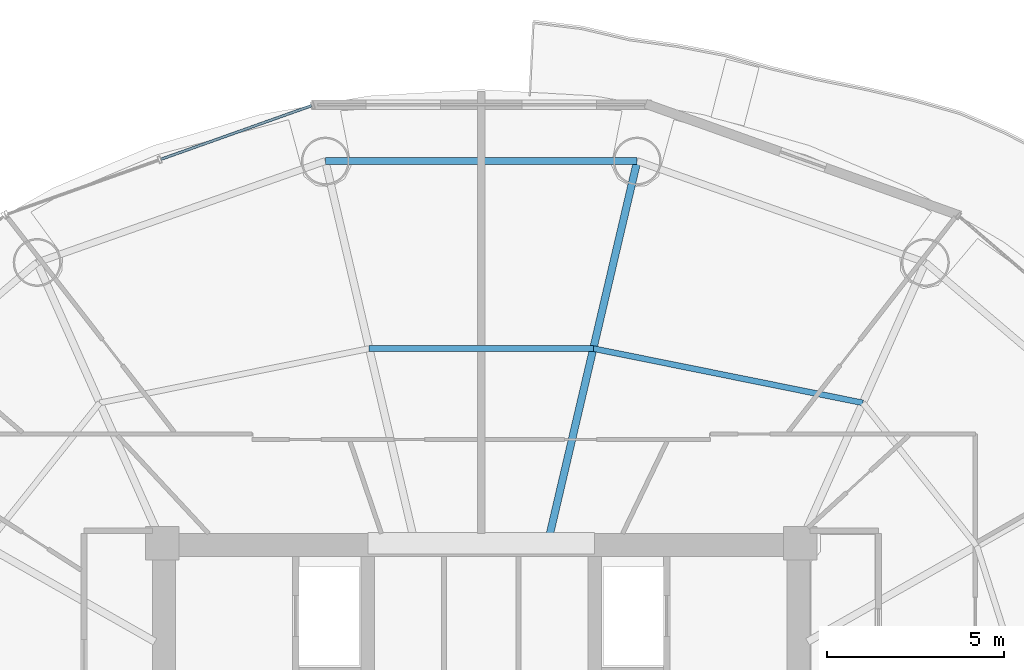
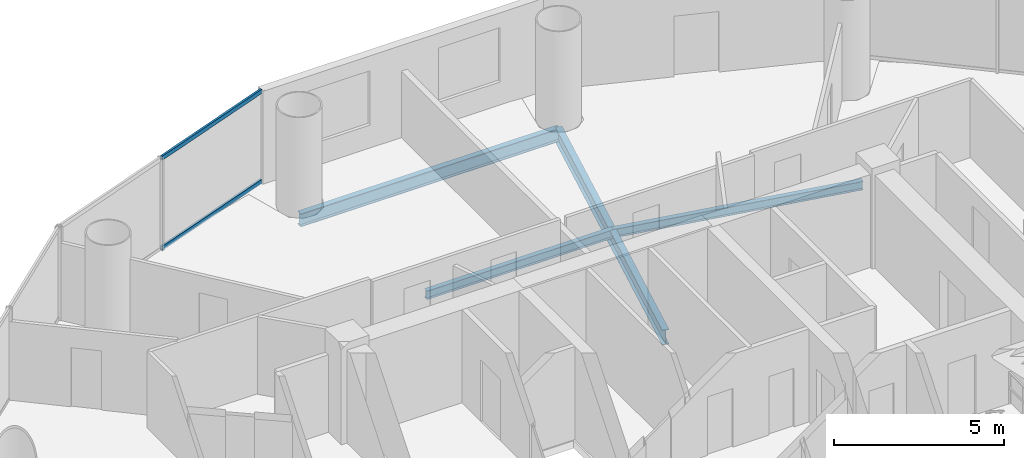
# One storey, part 16 of 27: 4 beams, 2 members, 1 element without a shape of its own.
"""IFC4 building model written with IfcOpenShell, lengths in metres."""

from ifc_helpers import new_model, si_unit, direction, frame, origin, origin_2d, place, context, subcontext, project, spatial, hollow_rectangle, i_section, extrude, source, transform, mapped, material, material_profile, profile_set, type_object, element, aggregate, save


model = new_model("IFC4")

# Units and contexts
model_context = context("Model", 3, precision=1e-05, world=origin(), true_north=direction((-0.2419218956, 0.970295726276)))
body_context = subcontext(model_context, "Body", "Model", "MODEL_VIEW")
ifc_project = project(units=[si_unit("LENGTHUNIT", "METRE"), si_unit("AREAUNIT", "SQUARE_METRE"), si_unit("VOLUMEUNIT", "CUBIC_METRE"), si_unit("PLANEANGLEUNIT", "RADIAN"), si_unit("MASSUNIT", "GRAM", prefix="KILO")], contexts=[model_context])

# Site, building, storey
site_placement = place(None, origin())
site = spatial("IfcSite", under=ifc_project, at=site_placement, CompositionType="ELEMENT")
building_placement = place(site_placement, origin())
building = spatial("IfcBuilding", under=site, at=building_placement, Name="Cobrevalo Terracotta Tower", CompositionType="ELEMENT")
storey_placement = place(building_placement, frame((0.0, 0.0, 153.39990234375)))
storey = spatial("IfcBuildingStorey", under=building, at=storey_placement, Name="L40", CompositionType="ELEMENT", Elevation=153.39990234375)

# Beams
ifc_material_1 = material(Name="Steel S355", Category="steel")
ifc_material_profile_1 = material_profile(ifc_material_1, i_section(OverallWidth=0.2109375, OverallDepth=0.5390625, WebThickness=0.01171875, FlangeThickness=0.018798828125, at=origin_2d()), Name="W 530x109")
ifc_profile_set_1 = profile_set([ifc_material_profile_1], Name="Steel S355")
beam_type_1 = type_object("IfcBeamType", Name="Structural Beam W 530x109 (Steel S355)", PredefinedType="BEAM", material=ifc_profile_set_1)
beam_1_placement = place(storey_placement, frame((42.399169921875, 45.58203125, -0.539306640625), z_axis=(-0.228040864186, -0.973651562039, 0.0), x_axis=(0.973651562039, -0.228040864186, 0.0)))
element("IfcBeam", 1, at=beam_1_placement, inside=storey, type_object=beam_type_1, Name="L40 radial floor girder 04", PredefinedType="BEAM", context=body_context, shape_type="SweptSolid", body=[
    extrude(i_section(OverallWidth=0.2109375, OverallDepth=0.5390625, WebThickness=0.01171875, FlangeThickness=0.018798828125, at=origin_2d()), origin(), (0.0, 0.0, 1.0), 10.86328125),
])
ifc_material_profile_2 = material_profile(ifc_material_1, i_section(OverallWidth=0.1650390625, OverallDepth=0.31005859375, WebThickness=0.005859375, FlangeThickness=0.009765625, at=origin_2d()), Name="W 310x38.7")
ifc_profile_set_2 = profile_set([ifc_material_profile_2], Name="Steel S355")
beam_type_2 = type_object("IfcBeamType", Name="Structural Joist W 310x38.7 (Steel S355)", PredefinedType="JOIST", material=ifc_profile_set_2)
beam_2_placement = place(storey_placement, frame((48.76416015625, 38.76123046875, -0.4248046875), z_axis=(-0.980293928329, 0.197544461026, 0.0), x_axis=(-0.197544461026, -0.980293928329, 0.0)))
element("IfcBeam", 2, at=beam_2_placement, inside=storey, type_object=beam_type_2, Name="L40 circumferential secondary floor joist 03", PredefinedType="JOIST", context=body_context, shape_type="SweptSolid", body=[
    extrude(i_section(OverallWidth=0.1650390625, OverallDepth=0.31005859375, WebThickness=0.005859375, FlangeThickness=0.009765625, at=origin_2d()), origin(), (0.0, 0.0, 1.0), 7.75634765625),
])
beam_3_placement = place(storey_placement, frame((41.16064453125, 40.29345703125, -0.4248046875), z_axis=(-1.0, 0.0, 0.0), x_axis=(0.0, -1.0, 0.0)))
element("IfcBeam", 3, at=beam_3_placement, inside=storey, type_object=beam_type_2, Name="L40 circumferential secondary floor joist 04", PredefinedType="JOIST", context=body_context, shape_type="SweptSolid", body=[
    extrude(i_section(OverallWidth=0.1650390625, OverallDepth=0.31005859375, WebThickness=0.005859375, FlangeThickness=0.009765625, at=origin_2d()), origin(), (0.0, 0.0, 1.0), 6.3212890625),
])
ifc_material_profile_3 = material_profile(ifc_material_1, i_section(OverallWidth=0.194091796875, OverallDepth=0.468994140625, WebThickness=0.011474609375, FlangeThickness=0.0205078125, at=origin_2d()), Name="W 460x106")
ifc_profile_set_3 = profile_set([ifc_material_profile_3], Name="Steel S355")
beam_type_3 = type_object("IfcBeamType", Name="Structural Spandrel W 460x106 (Steel S355)", PredefinedType="SPANDREL", material=ifc_profile_set_3)
beam_4_placement = place(storey_placement, frame((42.399169921875, 45.58203125, -0.50439453125), z_axis=(-1.0, 0.0, 0.0), x_axis=(0.0, -1.0, 0.0)))
element("IfcBeam", 4, at=beam_4_placement, inside=storey, type_object=beam_type_3, Name="L40 perimeter ring spandrel 04", PredefinedType="SPANDREL", context=body_context, shape_type="SweptSolid", body=[
    extrude(i_section(OverallWidth=0.194091796875, OverallDepth=0.468994140625, WebThickness=0.011474609375, FlangeThickness=0.0205078125, at=origin_2d()), origin(), (0.0, 0.0, 1.0), 8.79833984375),
])

# Curtain wall, members
ifc_material_2 = material(Name="Anodized aluminium", Category="aluminium")
curtain_wall_type = type_object("IfcCurtainWallType", Name="Mid-tower high-wind unitised curtain wall CW-U2", PredefinedType="NOTDEFINED", material=ifc_material_2)
curtain_wall_placement = place(storey_placement, origin())
curtain_wall = element("IfcCurtainWall", 5, at=curtain_wall_placement, inside=storey, type_object=curtain_wall_type, Name="L40 curtain wall CW-L40-S05", PredefinedType="NOTDEFINED")
ifc_material_profile_4 = material_profile(ifc_material_2, hollow_rectangle(XDim=0.074951171875, YDim=0.14990234375, WallThickness=0.00439453125, at=origin_2d()), Name="CWT 75x150")
ifc_profile_set_4 = profile_set([ifc_material_profile_4], Name="Anodized aluminium")
member_type = type_object("IfcMemberType", Name="Tower unitised aluminium transom 75x150", PredefinedType="USERDEFINED", material=ifc_profile_set_4)
shared_shape = source(origin(), body_context, "Body", "SweptSolid", [
    extrude(hollow_rectangle(XDim=0.074951171875, YDim=0.14990234375, WallThickness=0.00439453125, at=origin_2d()), origin(), (0.0, 0.0, 1.0), 4.50390625),
])
member_1_placement = place(storey_placement, frame((33.209228515625, 47.14404296875, 0.050048828125), z_axis=(-0.94210437316, -0.335319772863, 0.0), x_axis=(0.335319772863, -0.94210437316, 0.0)))
member_1 = element("IfcMember", 6, at=member_1_placement, type_object=member_type, Name="CW-L40-S05 transom B01-T1", ObjectType="TRANSOM", PredefinedType="USERDEFINED", context=body_context, shape_type="MappedRepresentation", body=[
    mapped(shared_shape, transform((0.0, 0.0, 0.0), scale=1.0)),
])
member_2_placement = place(storey_placement, frame((33.209228515625, 47.14404296875, 3.280029296875), z_axis=(-0.94210437316, -0.335319772863, 0.0), x_axis=(0.335319772863, -0.94210437316, 0.0)))
member_2 = element("IfcMember", 7, at=member_2_placement, type_object=member_type, Name="CW-L40-S05 transom B01-T2", ObjectType="TRANSOM", PredefinedType="USERDEFINED", context=body_context, shape_type="MappedRepresentation", body=[
    mapped(shared_shape, transform((0.0, 0.0, 0.0), scale=1.0)),
])
aggregate(curtain_wall, [member_1, member_2])

save(model, "model.ifc")
